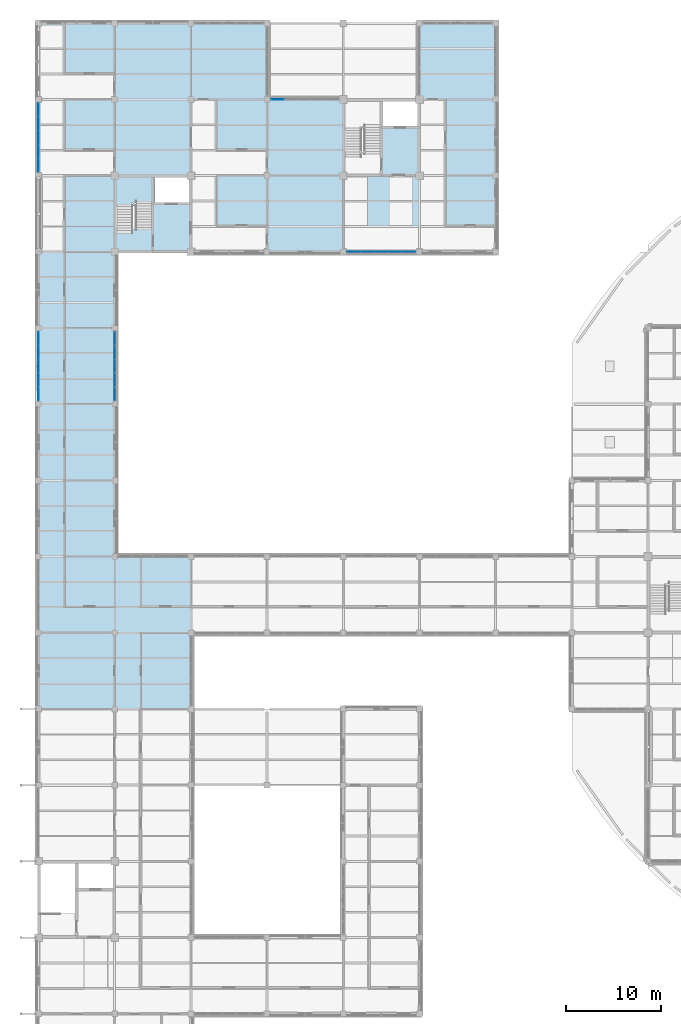
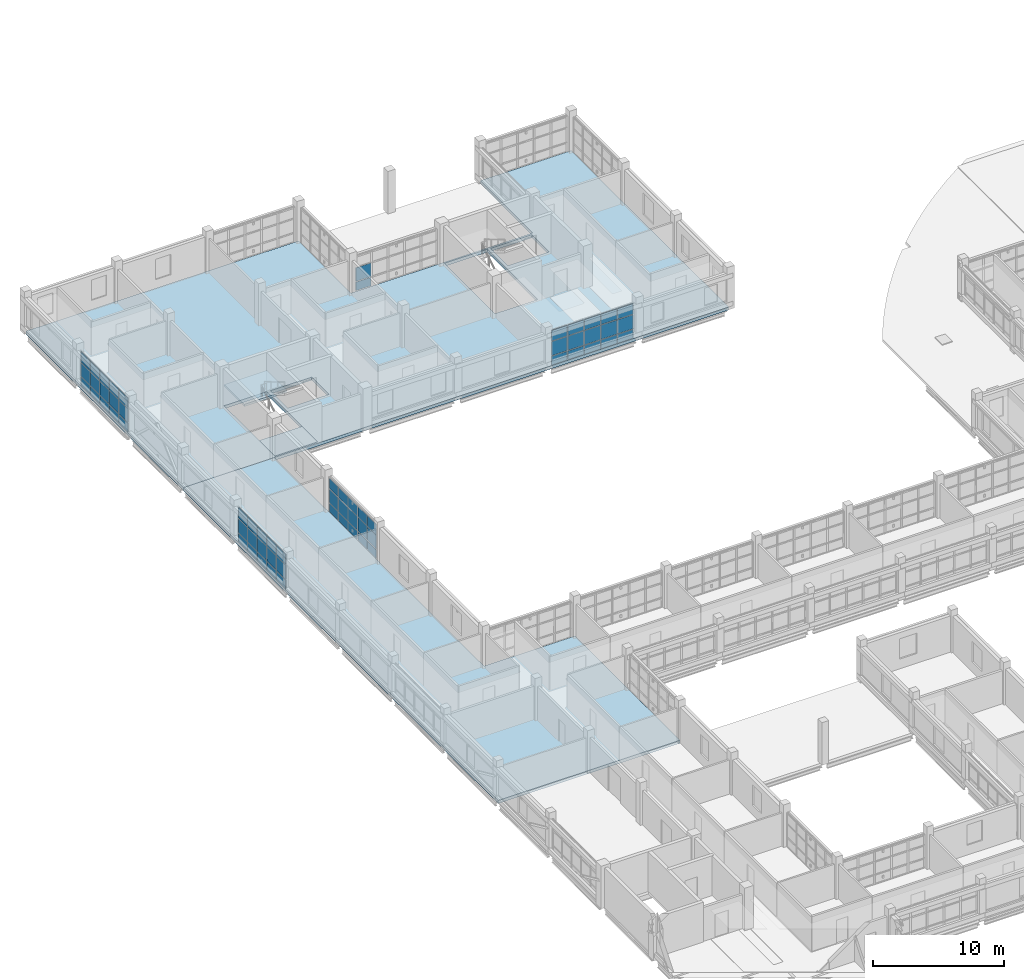
# One storey, part 73 of 126: 62 plates, 4 slabs, 6 elements without a shape of their own.
"""IFC4 building model written with IfcOpenShell, lengths in metres."""

import ifcopenshell
import ifcopenshell.guid

model = None  # the IFC model being written
_history = None  # IfcOwnerHistory: only IFC2X3 demands one
_inside = {}  # id of a spatial element -> (the spatial element, [elements in it])
_under = {}  # id of a project, library or spatial element -> (it, [spatial elements below it])
_declared = {}  # id of a project -> (the project, [libraries it declares])
_typed = {}  # id of a type object -> (the type object, [elements of that type])
_made_of = {}  # id of a material, layer set ... -> (it, [elements and type objects made of it])


def new_model(schema):
    """Start an empty IFC model of exactly this schema.

    Asked for "IFC4X3", IfcOpenShell would pick the latest addendum, in which some entities
    have other attributes; the version numbers below select the first issue.
    IFC2X3 requires an IfcOwnerHistory on every rooted entity: one is made here for all.
    """
    global model, _history
    if schema == "IFC4X3":
        model = ifcopenshell.file(schema_version=(4, 3, 0, 0))
    else:
        model = ifcopenshell.file(schema=schema)
    _inside.clear()
    _under.clear()
    _declared.clear()
    _typed.clear()
    _made_of.clear()
    _history = None
    if model.schema == "IFC2X3":
        org = make("IfcOrganization", Name="unknown")
        user = make(
            "IfcPersonAndOrganization",
            ThePerson=make("IfcPerson", FamilyName="unknown"),
            TheOrganization=org,
        )
        app = make(
            "IfcApplication",
            ApplicationDeveloper=org,
            Version="unknown",
            ApplicationFullName="unknown",
            ApplicationIdentifier="unknown",
        )
        _history = make(
            "IfcOwnerHistory",
            OwningUser=user,
            OwningApplication=app,
            ChangeAction="ADDED",
            CreationDate=0,
        )
    return model


def make(cls, **values):
    """One entity of the class cls with the attributes given. An attribute that is None is left unset."""
    return model.create_entity(
        cls, **{name: value for name, value in values.items() if value is not None}
    )


def rooted(cls, **values):
    """An entity with a GlobalId (a new one), such as an element, a storey or a relation."""
    return make(cls, GlobalId=ifcopenshell.guid.new(), OwnerHistory=_history, **values)


def si_unit(unit_type, name, prefix=None):
    """IfcSIUnit, for example si_unit("LENGTHUNIT", "METRE", prefix="MILLI")."""
    return make("IfcSIUnit", UnitType=unit_type, Prefix=prefix, Name=name)


def derived_unit(unit_type, elements):
    """IfcDerivedUnit: a product of units, each with its exponent."""
    return make(
        "IfcDerivedUnit",
        Elements=[
            make("IfcDerivedUnitElement", Unit=unit, Exponent=power)
            for unit, power in elements
        ],
        UnitType=unit_type,
    )


def assignment(units):
    """IfcUnitAssignment: the units of a project."""
    return None if units is None else make("IfcUnitAssignment", Units=units)


def point(xyz):
    """IfcCartesianPoint."""
    return None if xyz is None else make("IfcCartesianPoint", Coordinates=xyz)


def direction(xyz):
    """IfcDirection."""
    return None if xyz is None else make("IfcDirection", DirectionRatios=xyz)


def frame(location, z_axis=None, x_axis=None):
    """IfcAxis2Placement3D, a coordinate frame: its origin and axes. An axis left out is left unset."""
    return make(
        "IfcAxis2Placement3D",
        Location=point(location),
        Axis=direction(z_axis),
        RefDirection=direction(x_axis),
    )


def frame_2d(location, x_axis=None):
    """IfcAxis2Placement2D, a coordinate frame in the plane: its origin and x axis."""
    return make(
        "IfcAxis2Placement2D", Location=point(location), RefDirection=direction(x_axis)
    )


def origin():
    """The frame at (0, 0, 0) with its axes left unset."""
    return frame((0.0, 0.0, 0.0))


def origin_2d():
    """The frame at (0, 0) in the plane with its x axis left unset."""
    return frame_2d((0.0, 0.0))


def place(relative_to, where):
    """IfcLocalPlacement: puts the frame where relative to a parent placement (None: the world)."""
    return make(
        "IfcLocalPlacement", PlacementRelTo=relative_to, RelativePlacement=where
    )


def context(
    kind, dimensions, precision=None, world=None, true_north=None, identifier=None
):
    """IfcGeometricRepresentationContext, for example the 3D "Model" context."""
    return make(
        "IfcGeometricRepresentationContext",
        ContextIdentifier=identifier,
        ContextType=kind,
        CoordinateSpaceDimension=dimensions,
        Precision=precision,
        WorldCoordinateSystem=world,
        TrueNorth=true_north,
    )


def subcontext(parent, identifier, kind, view, scale=None):
    """IfcGeometricRepresentationSubContext, for example "Body" below "Model"."""
    return make(
        "IfcGeometricRepresentationSubContext",
        ContextIdentifier=identifier,
        ContextType=kind,
        ParentContext=parent,
        TargetScale=scale,
        TargetView=view,
    )


def project(units=None, contexts=None):
    """IfcProject with its units and contexts."""
    return rooted(
        "IfcProject",
        Name="project",
        RepresentationContexts=contexts,
        UnitsInContext=assignment(units),
    )


def spatial(cls, under=None, at=None, **own):
    """A site, building, storey or space (cls), placed at a placement, below another one or the project."""
    s = rooted(cls, ObjectPlacement=at, **own)
    if under is not None:
        _under.setdefault(under.id(), (under, []))[1].append(s)
    return s


def polyline(points):
    """IfcPolyline through the points."""
    return make("IfcPolyline", Points=[point(p) for p in points])


def profile(cls, at=None, kind="AREA", **sizes):
    """A parametric profile (cls). Its sizes go by their IFC names, for example OverallWidth=200.0."""
    return make(cls, ProfileType=kind, Position=at, **sizes)


def rectangle(**sizes):
    """IfcRectangleProfileDef."""
    return profile("IfcRectangleProfileDef", **sizes)


def outline(outer, holes=None, kind="AREA"):
    """IfcArbitraryClosedProfileDef: a profile drawn as a closed curve; with holes, ...WithVoids."""
    if holes is None:
        return make("IfcArbitraryClosedProfileDef", ProfileType=kind, OuterCurve=outer)
    return make(
        "IfcArbitraryProfileDefWithVoids",
        ProfileType=kind,
        OuterCurve=outer,
        InnerCurves=holes,
    )


def extrude(swept, where, along, depth):
    """IfcExtrudedAreaSolid: the profile swept, set in the frame where, extruded along a direction by depth."""
    return make(
        "IfcExtrudedAreaSolid",
        SweptArea=swept,
        Position=where,
        ExtrudedDirection=direction(along),
        Depth=depth,
    )


def shape(context_of_items, identifier, shape_type, items):
    """IfcShapeRepresentation: the items that make up one representation, for example the "Body"."""
    return make(
        "IfcShapeRepresentation",
        ContextOfItems=context_of_items,
        RepresentationIdentifier=identifier,
        RepresentationType=shape_type,
        Items=items,
    )


def material(Name=None, Category=None):
    """IfcMaterial."""
    return make("IfcMaterial", Name=Name, Category=Category)


def layer(
    of_material, thickness, ventilated=None, Name=None, Category=None, Priority=None
):
    """IfcMaterialLayer: one layer of a wall or slab, of a material (None: an air gap)."""
    return make(
        "IfcMaterialLayer",
        Material=of_material,
        LayerThickness=thickness,
        IsVentilated=ventilated,
        Name=Name,
        Category=Category,
        Priority=Priority,
    )


def layer_set(layers, Name=None):
    """IfcMaterialLayerSet."""
    return make("IfcMaterialLayerSet", MaterialLayers=layers, LayerSetName=Name)


def made_of(thing, what):
    """Note that an element or type object is made of a material, layer set ...; save() writes the relation."""
    if what is not None:
        _made_of.setdefault(what.id(), (what, []))[1].append(thing)
    return thing


def type_object(cls, material=None, **own):
    """A type object (cls), such as IfcWallType, which elements share."""
    return made_of(rooted(cls, **own), material)


def element(
    cls,
    number,
    at=None,
    inside=None,
    cuts=None,
    type_object=None,
    material=None,
    context=None,
    identifier="Body",
    shape_type=None,
    held_by="IfcProductDefinitionShape",
    body=None,
    shapes=None,
    **own,
):
    """One element of the class cls, such as IfcWall. Its Tag is "e" and its number.

    at: its placement. inside: the storey or other place that contains it. cuts: it is an
    opening in that element (IfcRelVoidsElement). A single representation is given by context,
    identifier, shape_type and body (its items); several are given by shapes. held_by: the class
    of the entity that holds the representations. save() writes the other relations.
    """
    e = rooted(cls, Tag="e%d" % number, ObjectPlacement=at, **own)
    if body is not None:
        shapes = [shape(context, identifier, shape_type, body)]
    if shapes is not None:
        e.Representation = make(held_by, Representations=shapes)
    if inside is not None:
        _inside.setdefault(inside.id(), (inside, []))[1].append(e)
    if cuts is not None:
        rooted(
            "IfcRelVoidsElement", RelatingBuildingElement=cuts, RelatedOpeningElement=e
        )
    if type_object is not None:
        _typed.setdefault(type_object.id(), (type_object, []))[1].append(e)
    return made_of(e, material)


def aggregate(whole, parts):
    """IfcRelAggregates: a whole, such as a stair, and the parts it consists of."""
    return rooted("IfcRelAggregates", RelatingObject=whole, RelatedObjects=parts)


def save(model, path):
    """Write the relations noted so far, then the file.

    IfcRelAggregates (storeys below a building ...), IfcRelContainedInSpatialStructure (elements
    in a storey), IfcRelDefinesByType, IfcRelAssociatesMaterial and IfcRelDeclares: one each for
    every whole, place, type object, material and project.
    """
    for whole, parts in _under.values():
        aggregate(whole, parts)
    for where, things in _inside.values():
        rooted(
            "IfcRelContainedInSpatialStructure",
            RelatedElements=things,
            RelatingStructure=where,
        )
    for kind, things in _typed.values():
        rooted("IfcRelDefinesByType", RelatedObjects=things, RelatingType=kind)
    for what, things in _made_of.values():
        rooted("IfcRelAssociatesMaterial", RelatedObjects=things, RelatingMaterial=what)
    for by, libraries in _declared.values():
        rooted("IfcRelDeclares", RelatingContext=by, RelatedDefinitions=libraries)
    model.write(path)


model = new_model("IFC4")

# Units and contexts
model_context = context("Model", 3, precision=1e-05, world=origin(), true_north=direction((0.0, 1.0)))
body_context = subcontext(model_context, "Body", "Model", "MODEL_VIEW")
ifc_project = project(units=[si_unit("LENGTHUNIT", "METRE"), si_unit("AREAUNIT", "SQUARE_METRE"), si_unit("VOLUMEUNIT", "CUBIC_METRE"), si_unit("PLANEANGLEUNIT", "RADIAN"), si_unit("MASSUNIT", "GRAM", prefix="KILO"), derived_unit("THERMALTRANSMITTANCEUNIT", [(si_unit("MASSUNIT", "GRAM", prefix="KILO"), 1), (si_unit("TIMEUNIT", "SECOND"), -3), (si_unit("THERMODYNAMICTEMPERATUREUNIT", "KELVIN"), -1)])], contexts=[model_context])

# Site, building, storey
site_placement = place(None, origin())
site = spatial("IfcSite", under=ifc_project, at=site_placement, CompositionType="ELEMENT")
building_placement = place(site_placement, origin())
building = spatial("IfcBuilding", under=site, at=building_placement, Name="Veyamyaing Civic Hall", CompositionType="ELEMENT")
storey_placement = place(building_placement, frame((0.0, 0.0, 9.89990234375)))
storey = spatial("IfcBuildingStorey", under=building, at=storey_placement, Name="L02", CompositionType="ELEMENT", Elevation=9.89990234375)

# Curtain wall, plates
ifc_material_1 = material(Name="Anodised aluminium 6063-T6", Category="aluminium")
ifc_layer_1 = layer(ifc_material_1, 0.159912109375, Name="Anodised aluminium 6063-T6")
ifc_layer_set_1 = layer_set([ifc_layer_1], Name="Anodised aluminium 6063-T6")
curtain_wall_type = type_object("IfcCurtainWallType", Name="CW-03", PredefinedType="NOTDEFINED", material=ifc_layer_set_1)
curtain_wall_1_placement = place(storey_placement, origin())
curtain_wall_1 = element("IfcCurtainWall", 1, at=curtain_wall_1_placement, inside=storey, type_object=curtain_wall_type, Name="Unitized curtain wall CW-03 L02 W 1.10", PredefinedType="NOTDEFINED")
ifc_material_2 = material(Name="Low-E insulated glass", Category="glass")
ifc_layer_2 = layer(ifc_material_2, 0.028076171875, Name="Low-E insulated glass")
ifc_layer_set_2 = layer_set([ifc_layer_2], Name="Low-E insulated glass")
plate_type_1 = type_object("IfcPlateType", Name="CWP-01", PredefinedType="CURTAIN_PANEL", material=ifc_layer_set_2)
plate_1_placement = place(storey_placement, frame((0.0, 73.07763671875, 0.06494140625), z_axis=(0.0, 0.0, 1.0), x_axis=(0.0, 1.0, 0.0)))
plate_1 = element("IfcPlate", 2, at=plate_1_placement, type_object=plate_type_1, Name="CW-03 panel 1.1", PredefinedType="CURTAIN_PANEL", context=body_context, shape_type="SweptSolid", body=[
    extrude(rectangle(XDim=1.365478515625, YDim=0.028076171875, at=origin_2d()), origin(), (0.0, 0.0, 1.0), 0.802490234375),
])
plate_2_placement = place(storey_placement, frame((0.0, 73.07763671875, 0.9326171875), z_axis=(0.0, 0.0, 1.0), x_axis=(0.0, 1.0, 0.0)))
plate_2 = element("IfcPlate", 3, at=plate_2_placement, type_object=plate_type_1, Name="CW-03 panel 1.2", PredefinedType="CURTAIN_PANEL", context=body_context, shape_type="SweptSolid", body=[
    extrude(rectangle(XDim=1.365478515625, YDim=0.028076171875, at=origin_2d()), origin(), (0.0, 0.0, 1.0), 1.31103515625),
])
plate_3_placement = place(storey_placement, frame((0.0, 73.07763671875, 2.30859375), z_axis=(0.0, 0.0, 1.0), x_axis=(0.0, 1.0, 0.0)))
plate_3 = element("IfcPlate", 4, at=plate_3_placement, type_object=plate_type_1, Name="CW-03 panel 1.3", PredefinedType="CURTAIN_PANEL", context=body_context, shape_type="SweptSolid", body=[
    extrude(rectangle(XDim=1.365478515625, YDim=0.028076171875, at=origin_2d()), origin(), (0.0, 0.0, 1.0), 0.973388671875),
])
plate_4_placement = place(storey_placement, frame((0.0, 74.5244140625, 0.06494140625), z_axis=(0.0, 0.0, 1.0), x_axis=(0.0, 1.0, 0.0)))
plate_4 = element("IfcPlate", 5, at=plate_4_placement, type_object=plate_type_1, Name="CW-03 panel 2.1", PredefinedType="CURTAIN_PANEL", context=body_context, shape_type="SweptSolid", body=[
    extrude(rectangle(XDim=1.39794921875, YDim=0.028076171875, at=origin_2d()), origin(), (0.0, 0.0, 1.0), 0.802490234375),
])
plate_5_placement = place(storey_placement, frame((0.0, 74.5244140625, 0.9326171875), z_axis=(0.0, 0.0, 1.0), x_axis=(0.0, 1.0, 0.0)))
plate_5 = element("IfcPlate", 6, at=plate_5_placement, type_object=plate_type_1, Name="CW-03 panel 2.2", PredefinedType="CURTAIN_PANEL", context=body_context, shape_type="SweptSolid", body=[
    extrude(rectangle(XDim=1.39794921875, YDim=0.028076171875, at=origin_2d()), origin(), (0.0, 0.0, 1.0), 1.31103515625),
])
plate_6_placement = place(storey_placement, frame((0.0, 74.5244140625, 2.30859375), z_axis=(0.0, 0.0, 1.0), x_axis=(0.0, 1.0, 0.0)))
plate_6 = element("IfcPlate", 7, at=plate_6_placement, type_object=plate_type_1, Name="CW-03 panel 2.3", PredefinedType="CURTAIN_PANEL", context=body_context, shape_type="SweptSolid", body=[
    extrude(rectangle(XDim=1.39794921875, YDim=0.028076171875, at=origin_2d()), origin(), (0.0, 0.0, 1.0), 0.973388671875),
])
plate_7_placement = place(storey_placement, frame((0.0, 75.987548828125, 0.06494140625), z_axis=(0.0, 0.0, 1.0), x_axis=(0.0, 1.0, 0.0)))
plate_7 = element("IfcPlate", 8, at=plate_7_placement, type_object=plate_type_1, Name="CW-03 panel 3.1", PredefinedType="CURTAIN_PANEL", context=body_context, shape_type="SweptSolid", body=[
    extrude(rectangle(XDim=1.39794921875, YDim=0.028076171875, at=origin_2d()), origin(), (0.0, 0.0, 1.0), 0.802490234375),
])
plate_8_placement = place(storey_placement, frame((0.0, 75.987548828125, 0.9326171875), z_axis=(0.0, 0.0, 1.0), x_axis=(0.0, 1.0, 0.0)))
plate_8 = element("IfcPlate", 9, at=plate_8_placement, type_object=plate_type_1, Name="CW-03 panel 3.2", PredefinedType="CURTAIN_PANEL", context=body_context, shape_type="SweptSolid", body=[
    extrude(rectangle(XDim=1.39794921875, YDim=0.028076171875, at=origin_2d()), origin(), (0.0, 0.0, 1.0), 1.31103515625),
])
plate_9_placement = place(storey_placement, frame((0.0, 75.987548828125, 2.30859375), z_axis=(0.0, 0.0, 1.0), x_axis=(0.0, 1.0, 0.0)))
plate_9 = element("IfcPlate", 10, at=plate_9_placement, type_object=plate_type_1, Name="CW-03 panel 3.3", PredefinedType="CURTAIN_PANEL", context=body_context, shape_type="SweptSolid", body=[
    extrude(rectangle(XDim=1.39794921875, YDim=0.028076171875, at=origin_2d()), origin(), (0.0, 0.0, 1.0), 0.973388671875),
])
plate_10_placement = place(storey_placement, frame((0.0, 77.450439453125, 0.06494140625), z_axis=(0.0, 0.0, 1.0), x_axis=(0.0, 1.0, 0.0)))
plate_10 = element("IfcPlate", 11, at=plate_10_placement, type_object=plate_type_1, Name="CW-03 panel 4.1", PredefinedType="CURTAIN_PANEL", context=body_context, shape_type="SweptSolid", body=[
    extrude(rectangle(XDim=1.39794921875, YDim=0.028076171875, at=origin_2d()), origin(), (0.0, 0.0, 1.0), 0.802490234375),
])
plate_11_placement = place(storey_placement, frame((0.0, 77.450439453125, 0.9326171875), z_axis=(0.0, 0.0, 1.0), x_axis=(0.0, 1.0, 0.0)))
plate_11 = element("IfcPlate", 12, at=plate_11_placement, type_object=plate_type_1, Name="CW-03 panel 4.2", PredefinedType="CURTAIN_PANEL", context=body_context, shape_type="SweptSolid", body=[
    extrude(rectangle(XDim=1.39794921875, YDim=0.028076171875, at=origin_2d()), origin(), (0.0, 0.0, 1.0), 1.31103515625),
])
plate_12_placement = place(storey_placement, frame((0.0, 77.450439453125, 2.30859375), z_axis=(0.0, 0.0, 1.0), x_axis=(0.0, 1.0, 0.0)))
plate_12 = element("IfcPlate", 13, at=plate_12_placement, type_object=plate_type_1, Name="CW-03 panel 4.3", PredefinedType="CURTAIN_PANEL", context=body_context, shape_type="SweptSolid", body=[
    extrude(rectangle(XDim=1.39794921875, YDim=0.028076171875, at=origin_2d()), origin(), (0.0, 0.0, 1.0), 0.973388671875),
])
plate_13_placement = place(storey_placement, frame((0.0, 78.897216796875, 0.06494140625), z_axis=(0.0, 0.0, 1.0), x_axis=(0.0, 1.0, 0.0)))
plate_13 = element("IfcPlate", 14, at=plate_13_placement, type_object=plate_type_1, Name="CW-03 panel 5.1", PredefinedType="CURTAIN_PANEL", context=body_context, shape_type="SweptSolid", body=[
    extrude(rectangle(XDim=1.365478515625, YDim=0.028076171875, at=origin_2d()), origin(), (0.0, 0.0, 1.0), 0.802490234375),
])
plate_14_placement = place(storey_placement, frame((0.0, 78.897216796875, 0.9326171875), z_axis=(0.0, 0.0, 1.0), x_axis=(0.0, 1.0, 0.0)))
plate_14 = element("IfcPlate", 15, at=plate_14_placement, type_object=plate_type_1, Name="CW-03 panel 5.2", PredefinedType="CURTAIN_PANEL", context=body_context, shape_type="SweptSolid", body=[
    extrude(rectangle(XDim=1.365478515625, YDim=0.028076171875, at=origin_2d()), origin(), (0.0, 0.0, 1.0), 1.31103515625),
])
plate_15_placement = place(storey_placement, frame((0.0, 78.897216796875, 2.30859375), z_axis=(0.0, 0.0, 1.0), x_axis=(0.0, 1.0, 0.0)))
plate_15 = element("IfcPlate", 16, at=plate_15_placement, type_object=plate_type_1, Name="CW-03 panel 5.3", PredefinedType="CURTAIN_PANEL", context=body_context, shape_type="SweptSolid", body=[
    extrude(rectangle(XDim=1.365478515625, YDim=0.028076171875, at=origin_2d()), origin(), (0.0, 0.0, 1.0), 0.973388671875),
])
aggregate(curtain_wall_1, [plate_1, plate_2, plate_3, plate_4, plate_5, plate_6, plate_7, plate_8, plate_9, plate_10, plate_11, plate_12, plate_13, plate_14, plate_15])

curtain_wall_2_placement = place(storey_placement, origin())
curtain_wall_2 = element("IfcCurtainWall", 17, at=curtain_wall_2_placement, inside=storey, type_object=curtain_wall_type, Name="Unitized curtain wall CW-03 L02 E 1.10", PredefinedType="NOTDEFINED")
plate_16_placement = place(storey_placement, frame((8.0, 73.07763671875, 0.06494140625), z_axis=(0.0, 0.0, 1.0), x_axis=(0.0, 1.0, 0.0)))
plate_16 = element("IfcPlate", 18, at=plate_16_placement, type_object=plate_type_1, Name="CW-03 panel 1.1", PredefinedType="CURTAIN_PANEL", context=body_context, shape_type="SweptSolid", body=[
    extrude(rectangle(XDim=1.365478515625, YDim=0.028076171875, at=origin_2d()), origin(), (0.0, 0.0, 1.0), 0.802490234375),
])
plate_17_placement = place(storey_placement, frame((8.0, 73.07763671875, 0.9326171875), z_axis=(0.0, 0.0, 1.0), x_axis=(0.0, 1.0, 0.0)))
plate_17 = element("IfcPlate", 19, at=plate_17_placement, type_object=plate_type_1, Name="CW-03 panel 1.2", PredefinedType="CURTAIN_PANEL", context=body_context, shape_type="SweptSolid", body=[
    extrude(rectangle(XDim=1.365478515625, YDim=0.028076171875, at=origin_2d()), origin(), (0.0, 0.0, 1.0), 1.265380859375),
])
plate_18_placement = place(storey_placement, frame((8.0, 73.07763671875, 2.262939453125), z_axis=(0.0, 0.0, 1.0), x_axis=(0.0, 1.0, 0.0)))
plate_18 = element("IfcPlate", 20, at=plate_18_placement, type_object=plate_type_1, Name="CW-03 panel 1.3", PredefinedType="CURTAIN_PANEL", context=body_context, shape_type="SweptSolid", body=[
    extrude(rectangle(XDim=1.365478515625, YDim=0.028076171875, at=origin_2d()), origin(), (0.0, 0.0, 1.0), 0.9521484375),
])
plate_19_placement = place(storey_placement, frame((8.0, 74.5244140625, 0.06494140625), z_axis=(0.0, 0.0, 1.0), x_axis=(0.0, 1.0, 0.0)))
plate_19 = element("IfcPlate", 21, at=plate_19_placement, type_object=plate_type_1, Name="CW-03 panel 2.1", PredefinedType="CURTAIN_PANEL", context=body_context, shape_type="SweptSolid", body=[
    extrude(rectangle(XDim=1.39794921875, YDim=0.028076171875, at=origin_2d()), origin(), (0.0, 0.0, 1.0), 0.802490234375),
])
plate_20_placement = place(storey_placement, frame((8.0, 74.5244140625, 0.9326171875), z_axis=(0.0, 0.0, 1.0), x_axis=(0.0, 1.0, 0.0)))
plate_20 = element("IfcPlate", 22, at=plate_20_placement, type_object=plate_type_1, Name="CW-03 panel 2.2", PredefinedType="CURTAIN_PANEL", context=body_context, shape_type="SweptSolid", body=[
    extrude(rectangle(XDim=1.39794921875, YDim=0.028076171875, at=origin_2d()), origin(), (0.0, 0.0, 1.0), 1.265380859375),
])
plate_21_placement = place(storey_placement, frame((8.0, 74.5244140625, 2.262939453125), z_axis=(0.0, 0.0, 1.0), x_axis=(0.0, 1.0, 0.0)))
plate_21 = element("IfcPlate", 23, at=plate_21_placement, type_object=plate_type_1, Name="CW-03 panel 2.3", PredefinedType="CURTAIN_PANEL", context=body_context, shape_type="SweptSolid", body=[
    extrude(rectangle(XDim=1.39794921875, YDim=0.028076171875, at=origin_2d()), origin(), (0.0, 0.0, 1.0), 0.9521484375),
])
plate_22_placement = place(storey_placement, frame((8.0, 75.987548828125, 0.06494140625), z_axis=(0.0, 0.0, 1.0), x_axis=(0.0, 1.0, 0.0)))
plate_22 = element("IfcPlate", 24, at=plate_22_placement, type_object=plate_type_1, Name="CW-03 panel 3.1", PredefinedType="CURTAIN_PANEL", context=body_context, shape_type="SweptSolid", body=[
    extrude(rectangle(XDim=1.39794921875, YDim=0.028076171875, at=origin_2d()), origin(), (0.0, 0.0, 1.0), 0.802490234375),
])
plate_23_placement = place(storey_placement, frame((8.0, 75.987548828125, 0.9326171875), z_axis=(0.0, 0.0, 1.0), x_axis=(0.0, 1.0, 0.0)))
plate_23 = element("IfcPlate", 25, at=plate_23_placement, type_object=plate_type_1, Name="CW-03 panel 3.2", PredefinedType="CURTAIN_PANEL", context=body_context, shape_type="SweptSolid", body=[
    extrude(rectangle(XDim=1.39794921875, YDim=0.028076171875, at=origin_2d()), origin(), (0.0, 0.0, 1.0), 1.265380859375),
])
plate_24_placement = place(storey_placement, frame((8.0, 75.987548828125, 2.262939453125), z_axis=(0.0, 0.0, 1.0), x_axis=(0.0, 1.0, 0.0)))
plate_24 = element("IfcPlate", 26, at=plate_24_placement, type_object=plate_type_1, Name="CW-03 panel 3.3", PredefinedType="CURTAIN_PANEL", context=body_context, shape_type="SweptSolid", body=[
    extrude(rectangle(XDim=1.39794921875, YDim=0.028076171875, at=origin_2d()), origin(), (0.0, 0.0, 1.0), 0.9521484375),
])
plate_25_placement = place(storey_placement, frame((8.0, 77.450439453125, 0.06494140625), z_axis=(0.0, 0.0, 1.0), x_axis=(0.0, 1.0, 0.0)))
plate_25 = element("IfcPlate", 27, at=plate_25_placement, type_object=plate_type_1, Name="CW-03 panel 4.1", PredefinedType="CURTAIN_PANEL", context=body_context, shape_type="SweptSolid", body=[
    extrude(rectangle(XDim=1.39794921875, YDim=0.028076171875, at=origin_2d()), origin(), (0.0, 0.0, 1.0), 0.802490234375),
])
plate_26_placement = place(storey_placement, frame((8.0, 77.450439453125, 0.9326171875), z_axis=(0.0, 0.0, 1.0), x_axis=(0.0, 1.0, 0.0)))
plate_26 = element("IfcPlate", 28, at=plate_26_placement, type_object=plate_type_1, Name="CW-03 panel 4.2", PredefinedType="CURTAIN_PANEL", context=body_context, shape_type="SweptSolid", body=[
    extrude(rectangle(XDim=1.39794921875, YDim=0.028076171875, at=origin_2d()), origin(), (0.0, 0.0, 1.0), 1.265380859375),
])
plate_27_placement = place(storey_placement, frame((8.0, 77.450439453125, 2.262939453125), z_axis=(0.0, 0.0, 1.0), x_axis=(0.0, 1.0, 0.0)))
plate_27 = element("IfcPlate", 29, at=plate_27_placement, type_object=plate_type_1, Name="CW-03 panel 4.3", PredefinedType="CURTAIN_PANEL", context=body_context, shape_type="SweptSolid", body=[
    extrude(rectangle(XDim=1.39794921875, YDim=0.028076171875, at=origin_2d()), origin(), (0.0, 0.0, 1.0), 0.9521484375),
])
plate_28_placement = place(storey_placement, frame((8.0, 78.897216796875, 0.06494140625), z_axis=(0.0, 0.0, 1.0), x_axis=(0.0, 1.0, 0.0)))
plate_28 = element("IfcPlate", 30, at=plate_28_placement, type_object=plate_type_1, Name="CW-03 panel 5.1", PredefinedType="CURTAIN_PANEL", context=body_context, shape_type="SweptSolid", body=[
    extrude(rectangle(XDim=1.365478515625, YDim=0.028076171875, at=origin_2d()), origin(), (0.0, 0.0, 1.0), 0.802490234375),
])
plate_29_placement = place(storey_placement, frame((8.0, 78.897216796875, 0.9326171875), z_axis=(0.0, 0.0, 1.0), x_axis=(0.0, 1.0, 0.0)))
plate_29 = element("IfcPlate", 31, at=plate_29_placement, type_object=plate_type_1, Name="CW-03 panel 5.2", PredefinedType="CURTAIN_PANEL", context=body_context, shape_type="SweptSolid", body=[
    extrude(rectangle(XDim=1.365478515625, YDim=0.028076171875, at=origin_2d()), origin(), (0.0, 0.0, 1.0), 1.265380859375),
])
plate_30_placement = place(storey_placement, frame((8.0, 78.897216796875, 2.262939453125), z_axis=(0.0, 0.0, 1.0), x_axis=(0.0, 1.0, 0.0)))
plate_30 = element("IfcPlate", 32, at=plate_30_placement, type_object=plate_type_1, Name="CW-03 panel 5.3", PredefinedType="CURTAIN_PANEL", context=body_context, shape_type="SweptSolid", body=[
    extrude(rectangle(XDim=1.365478515625, YDim=0.028076171875, at=origin_2d()), origin(), (0.0, 0.0, 1.0), 0.9521484375),
])
aggregate(curtain_wall_2, [plate_16, plate_17, plate_18, plate_19, plate_20, plate_21, plate_22, plate_23, plate_24, plate_25, plate_26, plate_27, plate_28, plate_29, plate_30])

curtain_wall_3_placement = place(storey_placement, origin())
curtain_wall_3 = element("IfcCurtainWall", 33, at=curtain_wall_3_placement, inside=storey, type_object=curtain_wall_type, Name="Unitized curtain wall CW-03 L02 N 4.13", PredefinedType="NOTDEFINED")
plate_31_placement = place(storey_placement, frame((25.0927734375, 104.0, 0.06494140625), z_axis=(0.0, 0.0, 1.0), x_axis=(1.0, 0.0, 0.0)))
plate_31 = element("IfcPlate", 34, at=plate_31_placement, type_object=plate_type_1, Name="CW-03 panel 1.1", PredefinedType="CURTAIN_PANEL", context=body_context, shape_type="SweptSolid", body=[
    extrude(rectangle(XDim=1.345458984375, YDim=0.028076171875, at=origin_2d()), origin(), (0.0, 0.0, 1.0), 0.802490234375),
])
plate_32_placement = place(storey_placement, frame((25.0927734375, 104.0, 0.9326171875), z_axis=(0.0, 0.0, 1.0), x_axis=(1.0, 0.0, 0.0)))
plate_32 = element("IfcPlate", 35, at=plate_32_placement, type_object=plate_type_1, Name="CW-03 panel 1.2", PredefinedType="CURTAIN_PANEL", context=body_context, shape_type="SweptSolid", body=[
    extrude(rectangle(XDim=1.345458984375, YDim=0.028076171875, at=origin_2d()), origin(), (0.0, 0.0, 1.0), 1.26806640625),
])
aggregate(curtain_wall_3, [plate_31, plate_32])

curtain_wall_4_placement = place(storey_placement, origin())
curtain_wall_4 = element("IfcCurtainWall", 36, at=curtain_wall_4_placement, inside=storey, type_object=curtain_wall_type, Name="Unitized curtain wall CW-03 L02 S 5.12", PredefinedType="NOTDEFINED")
plate_33_placement = place(storey_placement, frame((33.100341796875, 88.0, 0.06494140625), z_axis=(0.0, 0.0, 1.0), x_axis=(1.0, 0.0, 0.0)))
plate_33 = element("IfcPlate", 37, at=plate_33_placement, type_object=plate_type_1, Name="CW-03 panel 1.1", PredefinedType="CURTAIN_PANEL", context=body_context, shape_type="SweptSolid", body=[
    extrude(rectangle(XDim=1.360595703125, YDim=0.028076171875, at=origin_2d()), origin(), (0.0, 0.0, 1.0), 0.802490234375),
])
plate_34_placement = place(storey_placement, frame((33.100341796875, 88.0, 0.9326171875), z_axis=(0.0, 0.0, 1.0), x_axis=(1.0, 0.0, 0.0)))
plate_34 = element("IfcPlate", 38, at=plate_34_placement, type_object=plate_type_1, Name="CW-03 panel 1.2", PredefinedType="CURTAIN_PANEL", context=body_context, shape_type="SweptSolid", body=[
    extrude(rectangle(XDim=1.360595703125, YDim=0.028076171875, at=origin_2d()), origin(), (0.0, 0.0, 1.0), 1.308837890625),
])
plate_35_placement = place(storey_placement, frame((33.100341796875, 88.0, 2.306396484375), z_axis=(0.0, 0.0, 1.0), x_axis=(1.0, 0.0, 0.0)))
plate_35 = element("IfcPlate", 39, at=plate_35_placement, type_object=plate_type_1, Name="CW-03 panel 1.3", PredefinedType="CURTAIN_PANEL", context=body_context, shape_type="SweptSolid", body=[
    extrude(rectangle(XDim=1.360595703125, YDim=0.028076171875, at=origin_2d()), origin(), (0.0, 0.0, 1.0), 0.97265625),
])
plate_36_placement = place(storey_placement, frame((34.5419921875, 88.0, 0.06494140625), z_axis=(0.0, 0.0, 1.0), x_axis=(1.0, 0.0, 0.0)))
plate_36 = element("IfcPlate", 40, at=plate_36_placement, type_object=plate_type_1, Name="CW-03 panel 2.1", PredefinedType="CURTAIN_PANEL", context=body_context, shape_type="SweptSolid", body=[
    extrude(rectangle(XDim=1.39306640625, YDim=0.028076171875, at=origin_2d()), origin(), (0.0, 0.0, 1.0), 0.802490234375),
])
plate_37_placement = place(storey_placement, frame((34.5419921875, 88.0, 0.9326171875), z_axis=(0.0, 0.0, 1.0), x_axis=(1.0, 0.0, 0.0)))
plate_37 = element("IfcPlate", 41, at=plate_37_placement, type_object=plate_type_1, Name="CW-03 panel 2.2", PredefinedType="CURTAIN_PANEL", context=body_context, shape_type="SweptSolid", body=[
    extrude(rectangle(XDim=1.39306640625, YDim=0.028076171875, at=origin_2d()), origin(), (0.0, 0.0, 1.0), 1.308837890625),
])
plate_38_placement = place(storey_placement, frame((34.5419921875, 88.0, 2.306396484375), z_axis=(0.0, 0.0, 1.0), x_axis=(1.0, 0.0, 0.0)))
plate_38 = element("IfcPlate", 42, at=plate_38_placement, type_object=plate_type_1, Name="CW-03 panel 2.3", PredefinedType="CURTAIN_PANEL", context=body_context, shape_type="SweptSolid", body=[
    extrude(rectangle(XDim=1.39306640625, YDim=0.028076171875, at=origin_2d()), origin(), (0.0, 0.0, 1.0), 0.97265625),
])
plate_39_placement = place(storey_placement, frame((36.0, 88.0, 0.06494140625), z_axis=(0.0, 0.0, 1.0), x_axis=(1.0, 0.0, 0.0)))
plate_39 = element("IfcPlate", 43, at=plate_39_placement, type_object=plate_type_1, Name="CW-03 panel 3.1", PredefinedType="CURTAIN_PANEL", context=body_context, shape_type="SweptSolid", body=[
    extrude(rectangle(XDim=1.39306640625, YDim=0.028076171875, at=origin_2d()), origin(), (0.0, 0.0, 1.0), 0.802490234375),
])
plate_40_placement = place(storey_placement, frame((36.0, 88.0, 0.9326171875), z_axis=(0.0, 0.0, 1.0), x_axis=(1.0, 0.0, 0.0)))
plate_40 = element("IfcPlate", 44, at=plate_40_placement, type_object=plate_type_1, Name="CW-03 panel 3.2", PredefinedType="CURTAIN_PANEL", context=body_context, shape_type="SweptSolid", body=[
    extrude(rectangle(XDim=1.39306640625, YDim=0.028076171875, at=origin_2d()), origin(), (0.0, 0.0, 1.0), 1.308837890625),
])
plate_41_placement = place(storey_placement, frame((36.0, 88.0, 2.306396484375), z_axis=(0.0, 0.0, 1.0), x_axis=(1.0, 0.0, 0.0)))
plate_41 = element("IfcPlate", 45, at=plate_41_placement, type_object=plate_type_1, Name="CW-03 panel 3.3", PredefinedType="CURTAIN_PANEL", context=body_context, shape_type="SweptSolid", body=[
    extrude(rectangle(XDim=1.39306640625, YDim=0.028076171875, at=origin_2d()), origin(), (0.0, 0.0, 1.0), 0.97265625),
])
plate_42_placement = place(storey_placement, frame((37.4580078125, 88.0, 0.06494140625), z_axis=(0.0, 0.0, 1.0), x_axis=(1.0, 0.0, 0.0)))
plate_42 = element("IfcPlate", 46, at=plate_42_placement, type_object=plate_type_1, Name="CW-03 panel 4.1", PredefinedType="CURTAIN_PANEL", context=body_context, shape_type="SweptSolid", body=[
    extrude(rectangle(XDim=1.39306640625, YDim=0.028076171875, at=origin_2d()), origin(), (0.0, 0.0, 1.0), 0.802490234375),
])
plate_43_placement = place(storey_placement, frame((37.4580078125, 88.0, 0.9326171875), z_axis=(0.0, 0.0, 1.0), x_axis=(1.0, 0.0, 0.0)))
plate_43 = element("IfcPlate", 47, at=plate_43_placement, type_object=plate_type_1, Name="CW-03 panel 4.2", PredefinedType="CURTAIN_PANEL", context=body_context, shape_type="SweptSolid", body=[
    extrude(rectangle(XDim=1.39306640625, YDim=0.028076171875, at=origin_2d()), origin(), (0.0, 0.0, 1.0), 1.308837890625),
])
plate_44_placement = place(storey_placement, frame((37.4580078125, 88.0, 2.306396484375), z_axis=(0.0, 0.0, 1.0), x_axis=(1.0, 0.0, 0.0)))
plate_44 = element("IfcPlate", 48, at=plate_44_placement, type_object=plate_type_1, Name="CW-03 panel 4.3", PredefinedType="CURTAIN_PANEL", context=body_context, shape_type="SweptSolid", body=[
    extrude(rectangle(XDim=1.39306640625, YDim=0.028076171875, at=origin_2d()), origin(), (0.0, 0.0, 1.0), 0.97265625),
])
plate_45_placement = place(storey_placement, frame((38.899658203125, 88.0, 0.06494140625), z_axis=(0.0, 0.0, 1.0), x_axis=(1.0, 0.0, 0.0)))
plate_45 = element("IfcPlate", 49, at=plate_45_placement, type_object=plate_type_1, Name="CW-03 panel 5.1", PredefinedType="CURTAIN_PANEL", context=body_context, shape_type="SweptSolid", body=[
    extrude(rectangle(XDim=1.360595703125, YDim=0.028076171875, at=origin_2d()), origin(), (0.0, 0.0, 1.0), 0.802490234375),
])
plate_46_placement = place(storey_placement, frame((38.899658203125, 88.0, 0.9326171875), z_axis=(0.0, 0.0, 1.0), x_axis=(1.0, 0.0, 0.0)))
plate_46 = element("IfcPlate", 50, at=plate_46_placement, type_object=plate_type_1, Name="CW-03 panel 5.2", PredefinedType="CURTAIN_PANEL", context=body_context, shape_type="SweptSolid", body=[
    extrude(rectangle(XDim=1.360595703125, YDim=0.028076171875, at=origin_2d()), origin(), (0.0, 0.0, 1.0), 1.308837890625),
])
plate_47_placement = place(storey_placement, frame((38.899658203125, 88.0, 2.306396484375), z_axis=(0.0, 0.0, 1.0), x_axis=(1.0, 0.0, 0.0)))
plate_47 = element("IfcPlate", 51, at=plate_47_placement, type_object=plate_type_1, Name="CW-03 panel 5.3", PredefinedType="CURTAIN_PANEL", context=body_context, shape_type="SweptSolid", body=[
    extrude(rectangle(XDim=1.360595703125, YDim=0.028076171875, at=origin_2d()), origin(), (0.0, 0.0, 1.0), 0.97265625),
])
aggregate(curtain_wall_4, [plate_33, plate_34, plate_35, plate_36, plate_37, plate_38, plate_39, plate_40, plate_41, plate_42, plate_43, plate_44, plate_45, plate_46, plate_47])

curtain_wall_5_placement = place(storey_placement, origin())
curtain_wall_5 = element("IfcCurtainWall", 52, at=curtain_wall_5_placement, inside=storey, type_object=curtain_wall_type, Name="Unitized curtain wall CW-03 L02 W 1.13", PredefinedType="NOTDEFINED")
ifc_layer_3 = layer(ifc_material_2, 0.02392578125, Name="Low-E insulated glass")
ifc_layer_set_3 = layer_set([ifc_layer_3], Name="Low-E insulated glass")
plate_type_2 = type_object("IfcPlateType", Name="CWP-04", PredefinedType="CURTAIN_PANEL", material=ifc_layer_set_3)
plate_48_placement = place(storey_placement, frame((0.0, 97.100341796875, 0.06494140625), z_axis=(0.0, 0.0, 1.0), x_axis=(0.0, 1.0, 0.0)))
plate_48 = element("IfcPlate", 53, at=plate_48_placement, type_object=plate_type_2, Name="CW-03 panel 1.1", PredefinedType="CURTAIN_PANEL", context=body_context, shape_type="SweptSolid", body=[
    extrude(rectangle(XDim=1.360595703125, YDim=0.02392578125, at=origin_2d()), origin(), (0.0, 0.0, 1.0), 0.802490234375),
])
plate_49_placement = place(storey_placement, frame((0.0, 97.100341796875, 0.9326171875), z_axis=(0.0, 0.0, 1.0), x_axis=(0.0, 1.0, 0.0)))
plate_49 = element("IfcPlate", 54, at=plate_49_placement, type_object=plate_type_2, Name="CW-03 panel 1.2", PredefinedType="CURTAIN_PANEL", context=body_context, shape_type="SweptSolid", body=[
    extrude(rectangle(XDim=1.360595703125, YDim=0.02392578125, at=origin_2d()), origin(), (0.0, 0.0, 1.0), 1.26806640625),
])
plate_50_placement = place(storey_placement, frame((0.0, 97.100341796875, 2.265625), z_axis=(0.0, 0.0, 1.0), x_axis=(0.0, 1.0, 0.0)))
plate_50 = element("IfcPlate", 55, at=plate_50_placement, type_object=plate_type_2, Name="CW-03 panel 1.3", PredefinedType="CURTAIN_PANEL", context=body_context, shape_type="SweptSolid", body=[
    extrude(rectangle(XDim=1.360595703125, YDim=0.02392578125, at=origin_2d()), origin(), (0.0, 0.0, 1.0), 0.953369140625),
])
plate_51_placement = place(storey_placement, frame((0.0, 98.5419921875, 0.06494140625), z_axis=(0.0, 0.0, 1.0), x_axis=(0.0, 1.0, 0.0)))
plate_51 = element("IfcPlate", 56, at=plate_51_placement, type_object=plate_type_2, Name="CW-03 panel 2.1", PredefinedType="CURTAIN_PANEL", context=body_context, shape_type="SweptSolid", body=[
    extrude(rectangle(XDim=1.39306640625, YDim=0.02392578125, at=origin_2d()), origin(), (0.0, 0.0, 1.0), 0.802490234375),
])
plate_52_placement = place(storey_placement, frame((0.0, 98.5419921875, 0.9326171875), z_axis=(0.0, 0.0, 1.0), x_axis=(0.0, 1.0, 0.0)))
plate_52 = element("IfcPlate", 57, at=plate_52_placement, type_object=plate_type_2, Name="CW-03 panel 2.2", PredefinedType="CURTAIN_PANEL", context=body_context, shape_type="SweptSolid", body=[
    extrude(rectangle(XDim=1.39306640625, YDim=0.02392578125, at=origin_2d()), origin(), (0.0, 0.0, 1.0), 1.26806640625),
])
plate_53_placement = place(storey_placement, frame((0.0, 98.5419921875, 2.265625), z_axis=(0.0, 0.0, 1.0), x_axis=(0.0, 1.0, 0.0)))
plate_53 = element("IfcPlate", 58, at=plate_53_placement, type_object=plate_type_2, Name="CW-03 panel 2.3", PredefinedType="CURTAIN_PANEL", context=body_context, shape_type="SweptSolid", body=[
    extrude(rectangle(XDim=1.39306640625, YDim=0.02392578125, at=origin_2d()), origin(), (0.0, 0.0, 1.0), 0.953369140625),
])
plate_54_placement = place(storey_placement, frame((0.0, 100.0, 0.06494140625), z_axis=(0.0, 0.0, 1.0), x_axis=(0.0, 1.0, 0.0)))
plate_54 = element("IfcPlate", 59, at=plate_54_placement, type_object=plate_type_2, Name="CW-03 panel 3.1", PredefinedType="CURTAIN_PANEL", context=body_context, shape_type="SweptSolid", body=[
    extrude(rectangle(XDim=1.39306640625, YDim=0.02392578125, at=origin_2d()), origin(), (0.0, 0.0, 1.0), 0.802490234375),
])
plate_55_placement = place(storey_placement, frame((0.0, 100.0, 0.9326171875), z_axis=(0.0, 0.0, 1.0), x_axis=(0.0, 1.0, 0.0)))
plate_55 = element("IfcPlate", 60, at=plate_55_placement, type_object=plate_type_2, Name="CW-03 panel 3.2", PredefinedType="CURTAIN_PANEL", context=body_context, shape_type="SweptSolid", body=[
    extrude(rectangle(XDim=1.39306640625, YDim=0.02392578125, at=origin_2d()), origin(), (0.0, 0.0, 1.0), 1.26806640625),
])
plate_56_placement = place(storey_placement, frame((0.0, 100.0, 2.265625), z_axis=(0.0, 0.0, 1.0), x_axis=(0.0, 1.0, 0.0)))
plate_56 = element("IfcPlate", 61, at=plate_56_placement, type_object=plate_type_2, Name="CW-03 panel 3.3", PredefinedType="CURTAIN_PANEL", context=body_context, shape_type="SweptSolid", body=[
    extrude(rectangle(XDim=1.39306640625, YDim=0.02392578125, at=origin_2d()), origin(), (0.0, 0.0, 1.0), 0.953369140625),
])
plate_57_placement = place(storey_placement, frame((0.0, 101.4580078125, 0.06494140625), z_axis=(0.0, 0.0, 1.0), x_axis=(0.0, 1.0, 0.0)))
plate_57 = element("IfcPlate", 62, at=plate_57_placement, type_object=plate_type_2, Name="CW-03 panel 4.1", PredefinedType="CURTAIN_PANEL", context=body_context, shape_type="SweptSolid", body=[
    extrude(rectangle(XDim=1.39306640625, YDim=0.02392578125, at=origin_2d()), origin(), (0.0, 0.0, 1.0), 0.802490234375),
])
plate_58_placement = place(storey_placement, frame((0.0, 101.4580078125, 0.9326171875), z_axis=(0.0, 0.0, 1.0), x_axis=(0.0, 1.0, 0.0)))
plate_58 = element("IfcPlate", 63, at=plate_58_placement, type_object=plate_type_2, Name="CW-03 panel 4.2", PredefinedType="CURTAIN_PANEL", context=body_context, shape_type="SweptSolid", body=[
    extrude(rectangle(XDim=1.39306640625, YDim=0.02392578125, at=origin_2d()), origin(), (0.0, 0.0, 1.0), 1.26806640625),
])
plate_59_placement = place(storey_placement, frame((0.0, 101.4580078125, 2.265625), z_axis=(0.0, 0.0, 1.0), x_axis=(0.0, 1.0, 0.0)))
plate_59 = element("IfcPlate", 64, at=plate_59_placement, type_object=plate_type_2, Name="CW-03 panel 4.3", PredefinedType="CURTAIN_PANEL", context=body_context, shape_type="SweptSolid", body=[
    extrude(rectangle(XDim=1.39306640625, YDim=0.02392578125, at=origin_2d()), origin(), (0.0, 0.0, 1.0), 0.953369140625),
])
plate_60_placement = place(storey_placement, frame((0.0, 102.899658203125, 0.06494140625), z_axis=(0.0, 0.0, 1.0), x_axis=(0.0, 1.0, 0.0)))
plate_60 = element("IfcPlate", 65, at=plate_60_placement, type_object=plate_type_2, Name="CW-03 panel 5.1", PredefinedType="CURTAIN_PANEL", context=body_context, shape_type="SweptSolid", body=[
    extrude(rectangle(XDim=1.360595703125, YDim=0.02392578125, at=origin_2d()), origin(), (0.0, 0.0, 1.0), 0.802490234375),
])
plate_61_placement = place(storey_placement, frame((0.0, 102.899658203125, 0.9326171875), z_axis=(0.0, 0.0, 1.0), x_axis=(0.0, 1.0, 0.0)))
plate_61 = element("IfcPlate", 66, at=plate_61_placement, type_object=plate_type_2, Name="CW-03 panel 5.2", PredefinedType="CURTAIN_PANEL", context=body_context, shape_type="SweptSolid", body=[
    extrude(rectangle(XDim=1.360595703125, YDim=0.02392578125, at=origin_2d()), origin(), (0.0, 0.0, 1.0), 1.26806640625),
])
plate_62_placement = place(storey_placement, frame((0.0, 102.899658203125, 2.265625), z_axis=(0.0, 0.0, 1.0), x_axis=(0.0, 1.0, 0.0)))
plate_62 = element("IfcPlate", 67, at=plate_62_placement, type_object=plate_type_2, Name="CW-03 panel 5.3", PredefinedType="CURTAIN_PANEL", context=body_context, shape_type="SweptSolid", body=[
    extrude(rectangle(XDim=1.360595703125, YDim=0.02392578125, at=origin_2d()), origin(), (0.0, 0.0, 1.0), 0.953369140625),
])
aggregate(curtain_wall_5, [plate_48, plate_49, plate_50, plate_51, plate_52, plate_53, plate_54, plate_55, plate_56, plate_57, plate_58, plate_59, plate_60, plate_61, plate_62])

# Slabs
ifc_material_3 = material(Name="Concrete C40/50", Category="concrete")
ifc_layer_4 = layer(ifc_material_3, 0.284912109375, Name="Concrete C40/50")
ifc_layer_set_4 = layer_set([ifc_layer_4], Name="Concrete C40/50")
slab_type_1 = type_object("IfcSlabType", Name="SL-04", PredefinedType="FLOOR", material=ifc_layer_set_4)
slab_1_placement = place(storey_placement, frame((0.0, 0.0, -0.284912109375)))
element("IfcSlab", 68, at=slab_1_placement, inside=storey, type_object=slab_type_1, Name="Floor slab SL-04 L02 V4NW.1", PredefinedType="FLOOR", context=body_context, shape_type="SweptSolid", body=[
    extrude(outline(polyline([(0.0, 112.0), (24.0, 112.0), (24.0, 104.0), (40.0, 104.0), (40.0, 112.0), (48.0, 112.0), (48.0, 88.0), (0.0, 88.0), (0.0, 112.0)]), holes=[polyline([(11.909912109375, 95.860107421875), (8.139892578125, 95.860107421875), (8.139892578125, 88.139892578125), (11.909912109375, 88.139892578125), (11.909912109375, 95.860107421875)]), polyline([(15.820068359375, 95.820068359375), (12.179931640625, 95.820068359375), (12.179931640625, 93.179931640625), (15.820068359375, 93.179931640625), (15.820068359375, 95.820068359375)]), polyline([(35.909912109375, 103.860107421875), (32.139892578125, 103.860107421875), (32.139892578125, 96.139892578125), (35.909912109375, 96.139892578125), (35.909912109375, 103.860107421875)]), polyline([(39.820068359375, 103.820068359375), (36.179931640625, 103.820068359375), (36.179931640625, 101.179931640625), (39.820068359375, 101.179931640625), (39.820068359375, 103.820068359375)])]), origin(), (0.0, 0.0, 1.0), 0.284912109375),
])
slab_2_placement = place(storey_placement, frame((0.0, 0.0, -0.284912109375)))
element("IfcSlab", 69, at=slab_2_placement, inside=storey, type_object=slab_type_1, Name="Floor slab SL-04 L02 V4SW.1", PredefinedType="FLOOR", context=body_context, shape_type="SweptSolid", body=[
    extrude(outline(polyline([(0.0, 40.0), (0.0, 88.0), (8.0, 88.0), (8.0, 56.0), (16.0, 56.0), (16.0, 40.0), (0.0, 40.0)])), origin(), (0.0, 0.0, 1.0), 0.284912109375),
])
ifc_layer_5 = layer(ifc_material_3, 0.199951171875, Name="Concrete C40/50")
ifc_layer_set_5 = layer_set([ifc_layer_5], Name="Concrete C40/50")
slab_type_2 = type_object("IfcSlabType", Name="SL-16", PredefinedType="FLOOR", material=ifc_layer_set_5)
slab_3_placement = place(storey_placement, frame((0.0, 0.0, -0.199951171875)))
element("IfcSlab", 70, at=slab_3_placement, inside=storey, type_object=slab_type_2, Name="Stair floor landing slab SL-16 ST-01 L02", PredefinedType="FLOOR", context=body_context, shape_type="SweptSolid", body=[
    extrude(outline(polyline([(8.139892578125, 88.139892578125), (11.909912109375, 88.139892578125), (11.909912109375, 90.52001953125), (8.139892578125, 90.52001953125), (8.139892578125, 88.139892578125)])), origin(), (0.0, 0.0, 1.0), 0.199951171875),
])

# Stair, slab
stair_type = type_object("IfcStairType", Name="ST-D", PredefinedType="HALF_TURN_STAIR", material=ifc_material_3)
stair_placement = place(storey_placement, origin())
stair = element("IfcStair", 71, at=stair_placement, inside=storey, type_object=stair_type, Name="Protected exit stair ST-01 L02", PredefinedType="HALF_TURN_STAIR")
ifc_layer_6 = layer(ifc_material_3, 0.195068359375, Name="Concrete C40/50")
ifc_layer_set_6 = layer_set([ifc_layer_6], Name="Concrete C40/50")
slab_type_3 = type_object("IfcSlabType", Name="SL-LND", PredefinedType="LANDING", material=ifc_layer_set_6)
slab_4_placement = place(storey_placement, frame((0.0, 0.0, 1.78515625)))
slab_4 = element("IfcSlab", 72, at=slab_4_placement, type_object=slab_type_3, Name="ST-01 landing 1", PredefinedType="LANDING", context=body_context, shape_type="SweptSolid", body=[
    extrude(outline(polyline([(8.139892578125, 92.7900390625), (11.909912109375, 92.7900390625), (11.909912109375, 95.860107421875), (8.139892578125, 95.860107421875), (8.139892578125, 92.7900390625)])), origin(), (0.0, 0.0, 1.0), 0.19482421875),
])
aggregate(stair, [slab_4])

save(model, "model.ifc")
